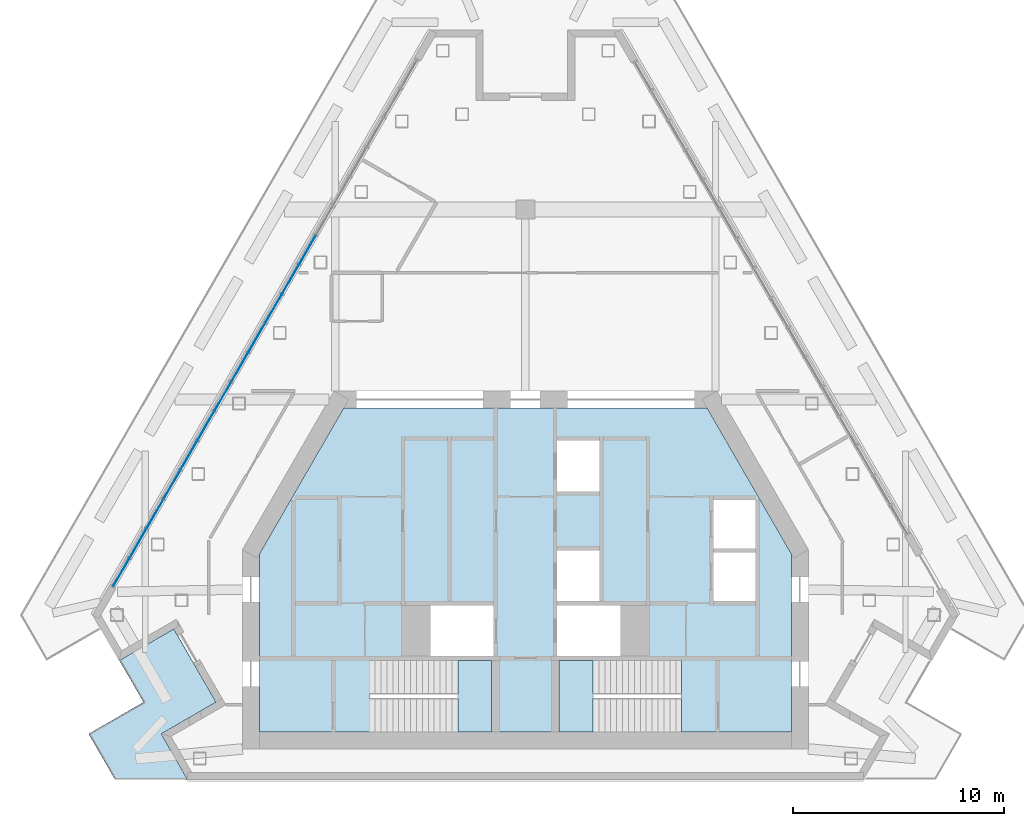
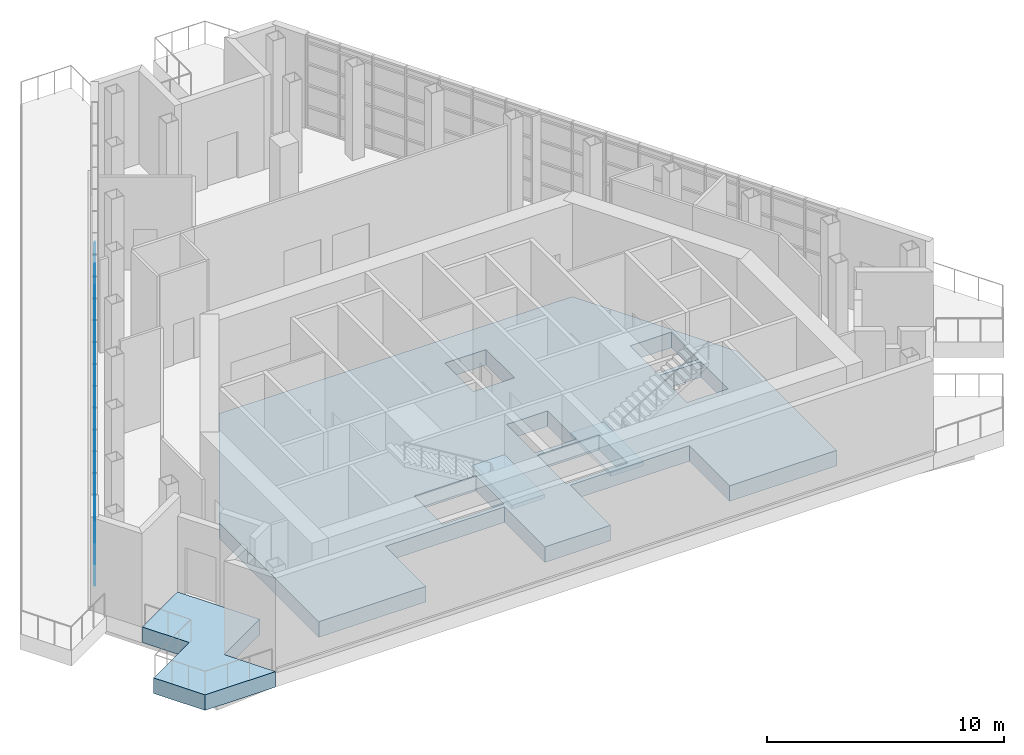
# One storey, part 7 of 15: 59 plates, 4 slabs, 3 elements without a shape of their own.
"""IFC4 building model written with IfcOpenShell, lengths in metres."""

from ifc_helpers import new_model, si_unit, direction, frame, origin, origin_2d, place, context, subcontext, project, spatial, polyline, rectangle, outline, extrude, material, layer, layer_set, type_object, element, aggregate, save


model = new_model("IFC4")

# Units and contexts
model_context = context("Model", 3, precision=1e-05, world=origin(), true_north=direction((0.0, 1.0)))
body_context = subcontext(model_context, "Body", "Model", "MODEL_VIEW")
ifc_project = project(units=[si_unit("LENGTHUNIT", "METRE"), si_unit("AREAUNIT", "SQUARE_METRE"), si_unit("VOLUMEUNIT", "CUBIC_METRE"), si_unit("PLANEANGLEUNIT", "RADIAN"), si_unit("MASSUNIT", "GRAM", prefix="KILO")], contexts=[model_context])

# Site, building, storey
site_placement = place(None, origin())
site = spatial("IfcSite", under=ifc_project, at=site_placement, CompositionType="ELEMENT")
building_placement = place(site_placement, origin())
building = spatial("IfcBuilding", under=site, at=building_placement, Name="Fogline Exchange Tower", CompositionType="ELEMENT")
storey_placement = place(building_placement, frame((0.0, 0.0, 344.699951171875)))
storey = spatial("IfcBuildingStorey", under=building, at=storey_placement, Name="L78", CompositionType="ELEMENT", Elevation=344.699951171875)

# Curtain wall, plates
ifc_material_1 = material(Name="Aluminium and glass", Category="aluminium")
curtain_wall_type = type_object("IfcCurtainWallType", Name="CW5", PredefinedType="NOTDEFINED", material=ifc_material_1)
curtain_wall_placement = place(storey_placement, origin())
curtain_wall = element("IfcCurtainWall", 1, at=curtain_wall_placement, inside=storey, type_object=curtain_wall_type, Name="CW5 L78 W run 1", PredefinedType="NOTDEFINED")
ifc_material_2 = material(Name="Glass", Category="glass")
ifc_layer_1 = layer(ifc_material_2, 0.033935546875)
ifc_layer_set_1 = layer_set([ifc_layer_1], Name="CW5-P")
plate_type = type_object("IfcPlateType", Name="CW5-P", PredefinedType="CURTAIN_PANEL", material=ifc_layer_set_1)
plate_1_placement = place(storey_placement, frame((-10.318115234375, 25.08984375, 0.080078125), z_axis=(0.0, 0.0, 1.0), x_axis=(-0.500000056787, -0.866025370998, 0.0)))
plate_1 = element("IfcPlate", 2, at=plate_1_placement, type_object=plate_type, Name="CW5-T26-02 panel 7.1", PredefinedType="CURTAIN_PANEL", context=body_context, shape_type="SweptSolid", body=[
    extrude(rectangle(XDim=1.539794921875, YDim=0.033935546875, at=origin_2d()), origin(), (0.0, 0.0, 1.0), 0.97998046875),
])
plate_2_placement = place(storey_placement, frame((-10.318115234375, 25.08984375, 1.14013671875), z_axis=(0.0, 0.0, 1.0), x_axis=(-0.500000056787, -0.866025370998, 0.0)))
plate_2 = element("IfcPlate", 3, at=plate_2_placement, type_object=plate_type, Name="CW5-T26-02 panel 7.2", PredefinedType="CURTAIN_PANEL", context=body_context, shape_type="SweptSolid", body=[
    extrude(rectangle(XDim=1.539794921875, YDim=0.033935546875, at=origin_2d()), origin(), (0.0, 0.0, 1.0), 1.02001953125),
])
plate_3_placement = place(storey_placement, frame((-10.318115234375, 25.08984375, 2.239990234375), z_axis=(0.0, 0.0, 1.0), x_axis=(-0.500000056787, -0.866025370998, 0.0)))
plate_3 = element("IfcPlate", 4, at=plate_3_placement, type_object=plate_type, Name="CW5-T26-02 panel 7.3", PredefinedType="CURTAIN_PANEL", context=body_context, shape_type="SweptSolid", body=[
    extrude(rectangle(XDim=1.539794921875, YDim=0.033935546875, at=origin_2d()), origin(), (0.0, 0.0, 1.0), 1.02001953125),
])
plate_4_placement = place(storey_placement, frame((-10.318115234375, 25.08984375, 3.340087890625), z_axis=(0.0, 0.0, 1.0), x_axis=(-0.500000056787, -0.866025370998, 0.0)))
plate_4 = element("IfcPlate", 5, at=plate_4_placement, type_object=plate_type, Name="CW5-T26-02 panel 7.4", PredefinedType="CURTAIN_PANEL", context=body_context, shape_type="SweptSolid", body=[
    extrude(rectangle(XDim=1.539794921875, YDim=0.033935546875, at=origin_2d()), origin(), (0.0, 0.0, 1.0), 1.02001953125),
])
plate_5_placement = place(storey_placement, frame((-11.12060546875, 23.699951171875, 0.080078125), z_axis=(0.0, 0.0, 1.0), x_axis=(-0.500000056787, -0.866025370998, 0.0)))
plate_5 = element("IfcPlate", 6, at=plate_5_placement, type_object=plate_type, Name="CW5-T26-02 panel 8.1", PredefinedType="CURTAIN_PANEL", context=body_context, shape_type="SweptSolid", body=[
    extrude(rectangle(XDim=1.539794921875, YDim=0.033935546875, at=origin_2d()), origin(), (0.0, 0.0, 1.0), 0.97998046875),
])
plate_6_placement = place(storey_placement, frame((-11.12060546875, 23.699951171875, 1.14013671875), z_axis=(0.0, 0.0, 1.0), x_axis=(-0.500000056787, -0.866025370998, 0.0)))
plate_6 = element("IfcPlate", 7, at=plate_6_placement, type_object=plate_type, Name="CW5-T26-02 panel 8.2", PredefinedType="CURTAIN_PANEL", context=body_context, shape_type="SweptSolid", body=[
    extrude(rectangle(XDim=1.539794921875, YDim=0.033935546875, at=origin_2d()), origin(), (0.0, 0.0, 1.0), 1.02001953125),
])
plate_7_placement = place(storey_placement, frame((-11.12060546875, 23.699951171875, 2.239990234375), z_axis=(0.0, 0.0, 1.0), x_axis=(-0.500000056787, -0.866025370998, 0.0)))
plate_7 = element("IfcPlate", 8, at=plate_7_placement, type_object=plate_type, Name="CW5-T26-02 panel 8.3", PredefinedType="CURTAIN_PANEL", context=body_context, shape_type="SweptSolid", body=[
    extrude(rectangle(XDim=1.539794921875, YDim=0.033935546875, at=origin_2d()), origin(), (0.0, 0.0, 1.0), 1.02001953125),
])
plate_8_placement = place(storey_placement, frame((-11.12060546875, 23.699951171875, 3.340087890625), z_axis=(0.0, 0.0, 1.0), x_axis=(-0.500000056787, -0.866025370998, 0.0)))
plate_8 = element("IfcPlate", 9, at=plate_8_placement, type_object=plate_type, Name="CW5-T26-02 panel 8.4", PredefinedType="CURTAIN_PANEL", context=body_context, shape_type="SweptSolid", body=[
    extrude(rectangle(XDim=1.539794921875, YDim=0.033935546875, at=origin_2d()), origin(), (0.0, 0.0, 1.0), 1.02001953125),
])
plate_9_placement = place(storey_placement, frame((-11.12060546875, 23.699951171875, 4.43994140625), z_axis=(0.0, 0.0, 1.0), x_axis=(-0.500000056787, -0.866025370998, 0.0)))
plate_9 = element("IfcPlate", 10, at=plate_9_placement, type_object=plate_type, Name="CW5-T26-02 panel 8.5", PredefinedType="CURTAIN_PANEL", context=body_context, shape_type="SweptSolid", body=[
    extrude(rectangle(XDim=1.539794921875, YDim=0.033935546875, at=origin_2d()), origin(), (0.0, 0.0, 1.0), 0.280029296875),
])
plate_10_placement = place(storey_placement, frame((-11.9228515625, 22.310302734375, 0.080078125), z_axis=(0.0, 0.0, 1.0), x_axis=(-0.500000056787, -0.866025370998, 0.0)))
plate_10 = element("IfcPlate", 11, at=plate_10_placement, type_object=plate_type, Name="CW5-T26-02 panel 9.1", PredefinedType="CURTAIN_PANEL", context=body_context, shape_type="SweptSolid", body=[
    extrude(rectangle(XDim=1.539794921875, YDim=0.033935546875, at=origin_2d()), origin(), (0.0, 0.0, 1.0), 0.97998046875),
])
plate_11_placement = place(storey_placement, frame((-11.9228515625, 22.310302734375, 1.14013671875), z_axis=(0.0, 0.0, 1.0), x_axis=(-0.500000056787, -0.866025370998, 0.0)))
plate_11 = element("IfcPlate", 12, at=plate_11_placement, type_object=plate_type, Name="CW5-T26-02 panel 9.2", PredefinedType="CURTAIN_PANEL", context=body_context, shape_type="SweptSolid", body=[
    extrude(rectangle(XDim=1.539794921875, YDim=0.033935546875, at=origin_2d()), origin(), (0.0, 0.0, 1.0), 1.02001953125),
])
plate_12_placement = place(storey_placement, frame((-11.9228515625, 22.310302734375, 2.239990234375), z_axis=(0.0, 0.0, 1.0), x_axis=(-0.500000056787, -0.866025370998, 0.0)))
plate_12 = element("IfcPlate", 13, at=plate_12_placement, type_object=plate_type, Name="CW5-T26-02 panel 9.3", PredefinedType="CURTAIN_PANEL", context=body_context, shape_type="SweptSolid", body=[
    extrude(rectangle(XDim=1.539794921875, YDim=0.033935546875, at=origin_2d()), origin(), (0.0, 0.0, 1.0), 1.02001953125),
])
plate_13_placement = place(storey_placement, frame((-11.9228515625, 22.310302734375, 3.340087890625), z_axis=(0.0, 0.0, 1.0), x_axis=(-0.500000056787, -0.866025370998, 0.0)))
plate_13 = element("IfcPlate", 14, at=plate_13_placement, type_object=plate_type, Name="CW5-T26-02 panel 9.4", PredefinedType="CURTAIN_PANEL", context=body_context, shape_type="SweptSolid", body=[
    extrude(rectangle(XDim=1.539794921875, YDim=0.033935546875, at=origin_2d()), origin(), (0.0, 0.0, 1.0), 1.02001953125),
])
plate_14_placement = place(storey_placement, frame((-11.9228515625, 22.310302734375, 4.43994140625), z_axis=(0.0, 0.0, 1.0), x_axis=(-0.500000056787, -0.866025370998, 0.0)))
plate_14 = element("IfcPlate", 15, at=plate_14_placement, type_object=plate_type, Name="CW5-T26-02 panel 9.5", PredefinedType="CURTAIN_PANEL", context=body_context, shape_type="SweptSolid", body=[
    extrude(rectangle(XDim=1.539794921875, YDim=0.033935546875, at=origin_2d()), origin(), (0.0, 0.0, 1.0), 0.280029296875),
])
plate_15_placement = place(storey_placement, frame((-12.72509765625, 20.920654296875, 0.080078125), z_axis=(0.0, 0.0, 1.0), x_axis=(-0.500000056787, -0.866025370998, 0.0)))
plate_15 = element("IfcPlate", 16, at=plate_15_placement, type_object=plate_type, Name="CW5-T26-02 panel 10.1", PredefinedType="CURTAIN_PANEL", context=body_context, shape_type="SweptSolid", body=[
    extrude(rectangle(XDim=1.539794921875, YDim=0.033935546875, at=origin_2d()), origin(), (0.0, 0.0, 1.0), 0.97998046875),
])
plate_16_placement = place(storey_placement, frame((-12.72509765625, 20.920654296875, 1.14013671875), z_axis=(0.0, 0.0, 1.0), x_axis=(-0.500000056787, -0.866025370998, 0.0)))
plate_16 = element("IfcPlate", 17, at=plate_16_placement, type_object=plate_type, Name="CW5-T26-02 panel 10.2", PredefinedType="CURTAIN_PANEL", context=body_context, shape_type="SweptSolid", body=[
    extrude(rectangle(XDim=1.539794921875, YDim=0.033935546875, at=origin_2d()), origin(), (0.0, 0.0, 1.0), 1.02001953125),
])
plate_17_placement = place(storey_placement, frame((-12.72509765625, 20.920654296875, 2.239990234375), z_axis=(0.0, 0.0, 1.0), x_axis=(-0.500000056787, -0.866025370998, 0.0)))
plate_17 = element("IfcPlate", 18, at=plate_17_placement, type_object=plate_type, Name="CW5-T26-02 panel 10.3", PredefinedType="CURTAIN_PANEL", context=body_context, shape_type="SweptSolid", body=[
    extrude(rectangle(XDim=1.539794921875, YDim=0.033935546875, at=origin_2d()), origin(), (0.0, 0.0, 1.0), 1.02001953125),
])
plate_18_placement = place(storey_placement, frame((-12.72509765625, 20.920654296875, 3.340087890625), z_axis=(0.0, 0.0, 1.0), x_axis=(-0.500000056787, -0.866025370998, 0.0)))
plate_18 = element("IfcPlate", 19, at=plate_18_placement, type_object=plate_type, Name="CW5-T26-02 panel 10.4", PredefinedType="CURTAIN_PANEL", context=body_context, shape_type="SweptSolid", body=[
    extrude(rectangle(XDim=1.539794921875, YDim=0.033935546875, at=origin_2d()), origin(), (0.0, 0.0, 1.0), 1.02001953125),
])
plate_19_placement = place(storey_placement, frame((-12.72509765625, 20.920654296875, 4.43994140625), z_axis=(0.0, 0.0, 1.0), x_axis=(-0.500000056787, -0.866025370998, 0.0)))
plate_19 = element("IfcPlate", 20, at=plate_19_placement, type_object=plate_type, Name="CW5-T26-02 panel 10.5", PredefinedType="CURTAIN_PANEL", context=body_context, shape_type="SweptSolid", body=[
    extrude(rectangle(XDim=1.539794921875, YDim=0.033935546875, at=origin_2d()), origin(), (0.0, 0.0, 1.0), 0.280029296875),
])
plate_20_placement = place(storey_placement, frame((-13.527587890625, 19.53076171875, 0.080078125), z_axis=(0.0, 0.0, 1.0), x_axis=(-0.500000056787, -0.866025370998, 0.0)))
plate_20 = element("IfcPlate", 21, at=plate_20_placement, type_object=plate_type, Name="CW5-T26-02 panel 11.1", PredefinedType="CURTAIN_PANEL", context=body_context, shape_type="SweptSolid", body=[
    extrude(rectangle(XDim=1.539794921875, YDim=0.033935546875, at=origin_2d()), origin(), (0.0, 0.0, 1.0), 0.97998046875),
])
plate_21_placement = place(storey_placement, frame((-13.527587890625, 19.53076171875, 1.14013671875), z_axis=(0.0, 0.0, 1.0), x_axis=(-0.500000056787, -0.866025370998, 0.0)))
plate_21 = element("IfcPlate", 22, at=plate_21_placement, type_object=plate_type, Name="CW5-T26-02 panel 11.2", PredefinedType="CURTAIN_PANEL", context=body_context, shape_type="SweptSolid", body=[
    extrude(rectangle(XDim=1.539794921875, YDim=0.033935546875, at=origin_2d()), origin(), (0.0, 0.0, 1.0), 1.02001953125),
])
plate_22_placement = place(storey_placement, frame((-13.527587890625, 19.53076171875, 2.239990234375), z_axis=(0.0, 0.0, 1.0), x_axis=(-0.500000056787, -0.866025370998, 0.0)))
plate_22 = element("IfcPlate", 23, at=plate_22_placement, type_object=plate_type, Name="CW5-T26-02 panel 11.3", PredefinedType="CURTAIN_PANEL", context=body_context, shape_type="SweptSolid", body=[
    extrude(rectangle(XDim=1.539794921875, YDim=0.033935546875, at=origin_2d()), origin(), (0.0, 0.0, 1.0), 1.02001953125),
])
plate_23_placement = place(storey_placement, frame((-13.527587890625, 19.53076171875, 3.340087890625), z_axis=(0.0, 0.0, 1.0), x_axis=(-0.500000056787, -0.866025370998, 0.0)))
plate_23 = element("IfcPlate", 24, at=plate_23_placement, type_object=plate_type, Name="CW5-T26-02 panel 11.4", PredefinedType="CURTAIN_PANEL", context=body_context, shape_type="SweptSolid", body=[
    extrude(rectangle(XDim=1.539794921875, YDim=0.033935546875, at=origin_2d()), origin(), (0.0, 0.0, 1.0), 1.02001953125),
])
plate_24_placement = place(storey_placement, frame((-13.527587890625, 19.53076171875, 4.43994140625), z_axis=(0.0, 0.0, 1.0), x_axis=(-0.500000056787, -0.866025370998, 0.0)))
plate_24 = element("IfcPlate", 25, at=plate_24_placement, type_object=plate_type, Name="CW5-T26-02 panel 11.5", PredefinedType="CURTAIN_PANEL", context=body_context, shape_type="SweptSolid", body=[
    extrude(rectangle(XDim=1.539794921875, YDim=0.033935546875, at=origin_2d()), origin(), (0.0, 0.0, 1.0), 0.280029296875),
])
plate_25_placement = place(storey_placement, frame((-14.329833984375, 18.14111328125, 0.080078125), z_axis=(0.0, 0.0, 1.0), x_axis=(-0.500000056787, -0.866025370998, 0.0)))
plate_25 = element("IfcPlate", 26, at=plate_25_placement, type_object=plate_type, Name="CW5-T26-02 panel 12.1", PredefinedType="CURTAIN_PANEL", context=body_context, shape_type="SweptSolid", body=[
    extrude(rectangle(XDim=1.539794921875, YDim=0.033935546875, at=origin_2d()), origin(), (0.0, 0.0, 1.0), 0.97998046875),
])
plate_26_placement = place(storey_placement, frame((-14.329833984375, 18.14111328125, 1.14013671875), z_axis=(0.0, 0.0, 1.0), x_axis=(-0.500000056787, -0.866025370998, 0.0)))
plate_26 = element("IfcPlate", 27, at=plate_26_placement, type_object=plate_type, Name="CW5-T26-02 panel 12.2", PredefinedType="CURTAIN_PANEL", context=body_context, shape_type="SweptSolid", body=[
    extrude(rectangle(XDim=1.539794921875, YDim=0.033935546875, at=origin_2d()), origin(), (0.0, 0.0, 1.0), 1.02001953125),
])
plate_27_placement = place(storey_placement, frame((-14.329833984375, 18.14111328125, 2.239990234375), z_axis=(0.0, 0.0, 1.0), x_axis=(-0.500000056787, -0.866025370998, 0.0)))
plate_27 = element("IfcPlate", 28, at=plate_27_placement, type_object=plate_type, Name="CW5-T26-02 panel 12.3", PredefinedType="CURTAIN_PANEL", context=body_context, shape_type="SweptSolid", body=[
    extrude(rectangle(XDim=1.539794921875, YDim=0.033935546875, at=origin_2d()), origin(), (0.0, 0.0, 1.0), 1.02001953125),
])
plate_28_placement = place(storey_placement, frame((-14.329833984375, 18.14111328125, 3.340087890625), z_axis=(0.0, 0.0, 1.0), x_axis=(-0.500000056787, -0.866025370998, 0.0)))
plate_28 = element("IfcPlate", 29, at=plate_28_placement, type_object=plate_type, Name="CW5-T26-02 panel 12.4", PredefinedType="CURTAIN_PANEL", context=body_context, shape_type="SweptSolid", body=[
    extrude(rectangle(XDim=1.539794921875, YDim=0.033935546875, at=origin_2d()), origin(), (0.0, 0.0, 1.0), 1.02001953125),
])
plate_29_placement = place(storey_placement, frame((-14.329833984375, 18.14111328125, 4.43994140625), z_axis=(0.0, 0.0, 1.0), x_axis=(-0.500000056787, -0.866025370998, 0.0)))
plate_29 = element("IfcPlate", 30, at=plate_29_placement, type_object=plate_type, Name="CW5-T26-02 panel 12.5", PredefinedType="CURTAIN_PANEL", context=body_context, shape_type="SweptSolid", body=[
    extrude(rectangle(XDim=1.539794921875, YDim=0.033935546875, at=origin_2d()), origin(), (0.0, 0.0, 1.0), 0.280029296875),
])
plate_30_placement = place(storey_placement, frame((-15.13232421875, 16.75146484375, 0.080078125), z_axis=(0.0, 0.0, 1.0), x_axis=(-0.500000056787, -0.866025370998, 0.0)))
plate_30 = element("IfcPlate", 31, at=plate_30_placement, type_object=plate_type, Name="CW5-T26-02 panel 13.1", PredefinedType="CURTAIN_PANEL", context=body_context, shape_type="SweptSolid", body=[
    extrude(rectangle(XDim=1.539794921875, YDim=0.033935546875, at=origin_2d()), origin(), (0.0, 0.0, 1.0), 0.97998046875),
])
plate_31_placement = place(storey_placement, frame((-15.13232421875, 16.75146484375, 1.14013671875), z_axis=(0.0, 0.0, 1.0), x_axis=(-0.500000056787, -0.866025370998, 0.0)))
plate_31 = element("IfcPlate", 32, at=plate_31_placement, type_object=plate_type, Name="CW5-T26-02 panel 13.2", PredefinedType="CURTAIN_PANEL", context=body_context, shape_type="SweptSolid", body=[
    extrude(rectangle(XDim=1.539794921875, YDim=0.033935546875, at=origin_2d()), origin(), (0.0, 0.0, 1.0), 1.02001953125),
])
plate_32_placement = place(storey_placement, frame((-15.13232421875, 16.75146484375, 2.239990234375), z_axis=(0.0, 0.0, 1.0), x_axis=(-0.500000056787, -0.866025370998, 0.0)))
plate_32 = element("IfcPlate", 33, at=plate_32_placement, type_object=plate_type, Name="CW5-T26-02 panel 13.3", PredefinedType="CURTAIN_PANEL", context=body_context, shape_type="SweptSolid", body=[
    extrude(rectangle(XDim=1.539794921875, YDim=0.033935546875, at=origin_2d()), origin(), (0.0, 0.0, 1.0), 1.02001953125),
])
plate_33_placement = place(storey_placement, frame((-15.13232421875, 16.75146484375, 3.340087890625), z_axis=(0.0, 0.0, 1.0), x_axis=(-0.500000056787, -0.866025370998, 0.0)))
plate_33 = element("IfcPlate", 34, at=plate_33_placement, type_object=plate_type, Name="CW5-T26-02 panel 13.4", PredefinedType="CURTAIN_PANEL", context=body_context, shape_type="SweptSolid", body=[
    extrude(rectangle(XDim=1.539794921875, YDim=0.033935546875, at=origin_2d()), origin(), (0.0, 0.0, 1.0), 1.02001953125),
])
plate_34_placement = place(storey_placement, frame((-15.13232421875, 16.75146484375, 4.43994140625), z_axis=(0.0, 0.0, 1.0), x_axis=(-0.500000056787, -0.866025370998, 0.0)))
plate_34 = element("IfcPlate", 35, at=plate_34_placement, type_object=plate_type, Name="CW5-T26-02 panel 13.5", PredefinedType="CURTAIN_PANEL", context=body_context, shape_type="SweptSolid", body=[
    extrude(rectangle(XDim=1.539794921875, YDim=0.033935546875, at=origin_2d()), origin(), (0.0, 0.0, 1.0), 0.280029296875),
])
plate_35_placement = place(storey_placement, frame((-15.9345703125, 15.361572265625, 0.080078125), z_axis=(0.0, 0.0, 1.0), x_axis=(-0.500000056787, -0.866025370998, 0.0)))
plate_35 = element("IfcPlate", 36, at=plate_35_placement, type_object=plate_type, Name="CW5-T26-02 panel 14.1", PredefinedType="CURTAIN_PANEL", context=body_context, shape_type="SweptSolid", body=[
    extrude(rectangle(XDim=1.539794921875, YDim=0.033935546875, at=origin_2d()), origin(), (0.0, 0.0, 1.0), 0.97998046875),
])
plate_36_placement = place(storey_placement, frame((-15.9345703125, 15.361572265625, 1.14013671875), z_axis=(0.0, 0.0, 1.0), x_axis=(-0.500000056787, -0.866025370998, 0.0)))
plate_36 = element("IfcPlate", 37, at=plate_36_placement, type_object=plate_type, Name="CW5-T26-02 panel 14.2", PredefinedType="CURTAIN_PANEL", context=body_context, shape_type="SweptSolid", body=[
    extrude(rectangle(XDim=1.539794921875, YDim=0.033935546875, at=origin_2d()), origin(), (0.0, 0.0, 1.0), 1.02001953125),
])
plate_37_placement = place(storey_placement, frame((-15.9345703125, 15.361572265625, 2.239990234375), z_axis=(0.0, 0.0, 1.0), x_axis=(-0.500000056787, -0.866025370998, 0.0)))
plate_37 = element("IfcPlate", 38, at=plate_37_placement, type_object=plate_type, Name="CW5-T26-02 panel 14.3", PredefinedType="CURTAIN_PANEL", context=body_context, shape_type="SweptSolid", body=[
    extrude(rectangle(XDim=1.539794921875, YDim=0.033935546875, at=origin_2d()), origin(), (0.0, 0.0, 1.0), 1.02001953125),
])
plate_38_placement = place(storey_placement, frame((-15.9345703125, 15.361572265625, 3.340087890625), z_axis=(0.0, 0.0, 1.0), x_axis=(-0.500000056787, -0.866025370998, 0.0)))
plate_38 = element("IfcPlate", 39, at=plate_38_placement, type_object=plate_type, Name="CW5-T26-02 panel 14.4", PredefinedType="CURTAIN_PANEL", context=body_context, shape_type="SweptSolid", body=[
    extrude(rectangle(XDim=1.539794921875, YDim=0.033935546875, at=origin_2d()), origin(), (0.0, 0.0, 1.0), 1.02001953125),
])
plate_39_placement = place(storey_placement, frame((-15.9345703125, 15.361572265625, 4.43994140625), z_axis=(0.0, 0.0, 1.0), x_axis=(-0.500000056787, -0.866025370998, 0.0)))
plate_39 = element("IfcPlate", 40, at=plate_39_placement, type_object=plate_type, Name="CW5-T26-02 panel 14.5", PredefinedType="CURTAIN_PANEL", context=body_context, shape_type="SweptSolid", body=[
    extrude(rectangle(XDim=1.539794921875, YDim=0.033935546875, at=origin_2d()), origin(), (0.0, 0.0, 1.0), 0.280029296875),
])
plate_40_placement = place(storey_placement, frame((-16.737060546875, 13.971923828125, 0.080078125), z_axis=(0.0, 0.0, 1.0), x_axis=(-0.500000056787, -0.866025370998, 0.0)))
plate_40 = element("IfcPlate", 41, at=plate_40_placement, type_object=plate_type, Name="CW5-T26-02 panel 15.1", PredefinedType="CURTAIN_PANEL", context=body_context, shape_type="SweptSolid", body=[
    extrude(rectangle(XDim=1.539794921875, YDim=0.033935546875, at=origin_2d()), origin(), (0.0, 0.0, 1.0), 0.97998046875),
])
plate_41_placement = place(storey_placement, frame((-16.737060546875, 13.971923828125, 1.14013671875), z_axis=(0.0, 0.0, 1.0), x_axis=(-0.500000056787, -0.866025370998, 0.0)))
plate_41 = element("IfcPlate", 42, at=plate_41_placement, type_object=plate_type, Name="CW5-T26-02 panel 15.2", PredefinedType="CURTAIN_PANEL", context=body_context, shape_type="SweptSolid", body=[
    extrude(rectangle(XDim=1.539794921875, YDim=0.033935546875, at=origin_2d()), origin(), (0.0, 0.0, 1.0), 1.02001953125),
])
plate_42_placement = place(storey_placement, frame((-16.737060546875, 13.971923828125, 2.239990234375), z_axis=(0.0, 0.0, 1.0), x_axis=(-0.500000056787, -0.866025370998, 0.0)))
plate_42 = element("IfcPlate", 43, at=plate_42_placement, type_object=plate_type, Name="CW5-T26-02 panel 15.3", PredefinedType="CURTAIN_PANEL", context=body_context, shape_type="SweptSolid", body=[
    extrude(rectangle(XDim=1.539794921875, YDim=0.033935546875, at=origin_2d()), origin(), (0.0, 0.0, 1.0), 1.02001953125),
])
plate_43_placement = place(storey_placement, frame((-16.737060546875, 13.971923828125, 3.340087890625), z_axis=(0.0, 0.0, 1.0), x_axis=(-0.500000056787, -0.866025370998, 0.0)))
plate_43 = element("IfcPlate", 44, at=plate_43_placement, type_object=plate_type, Name="CW5-T26-02 panel 15.4", PredefinedType="CURTAIN_PANEL", context=body_context, shape_type="SweptSolid", body=[
    extrude(rectangle(XDim=1.539794921875, YDim=0.033935546875, at=origin_2d()), origin(), (0.0, 0.0, 1.0), 1.02001953125),
])
plate_44_placement = place(storey_placement, frame((-16.737060546875, 13.971923828125, 4.43994140625), z_axis=(0.0, 0.0, 1.0), x_axis=(-0.500000056787, -0.866025370998, 0.0)))
plate_44 = element("IfcPlate", 45, at=plate_44_placement, type_object=plate_type, Name="CW5-T26-02 panel 15.5", PredefinedType="CURTAIN_PANEL", context=body_context, shape_type="SweptSolid", body=[
    extrude(rectangle(XDim=1.539794921875, YDim=0.033935546875, at=origin_2d()), origin(), (0.0, 0.0, 1.0), 0.280029296875),
])
plate_45_placement = place(storey_placement, frame((-17.539306640625, 12.582275390625, 0.080078125), z_axis=(0.0, 0.0, 1.0), x_axis=(-0.500000056787, -0.866025370998, 0.0)))
plate_45 = element("IfcPlate", 46, at=plate_45_placement, type_object=plate_type, Name="CW5-T26-02 panel 16.1", PredefinedType="CURTAIN_PANEL", context=body_context, shape_type="SweptSolid", body=[
    extrude(rectangle(XDim=1.539794921875, YDim=0.033935546875, at=origin_2d()), origin(), (0.0, 0.0, 1.0), 0.97998046875),
])
plate_46_placement = place(storey_placement, frame((-17.539306640625, 12.582275390625, 1.14013671875), z_axis=(0.0, 0.0, 1.0), x_axis=(-0.500000056787, -0.866025370998, 0.0)))
plate_46 = element("IfcPlate", 47, at=plate_46_placement, type_object=plate_type, Name="CW5-T26-02 panel 16.2", PredefinedType="CURTAIN_PANEL", context=body_context, shape_type="SweptSolid", body=[
    extrude(rectangle(XDim=1.539794921875, YDim=0.033935546875, at=origin_2d()), origin(), (0.0, 0.0, 1.0), 1.02001953125),
])
plate_47_placement = place(storey_placement, frame((-17.539306640625, 12.582275390625, 2.239990234375), z_axis=(0.0, 0.0, 1.0), x_axis=(-0.500000056787, -0.866025370998, 0.0)))
plate_47 = element("IfcPlate", 48, at=plate_47_placement, type_object=plate_type, Name="CW5-T26-02 panel 16.3", PredefinedType="CURTAIN_PANEL", context=body_context, shape_type="SweptSolid", body=[
    extrude(rectangle(XDim=1.539794921875, YDim=0.033935546875, at=origin_2d()), origin(), (0.0, 0.0, 1.0), 1.02001953125),
])
plate_48_placement = place(storey_placement, frame((-17.539306640625, 12.582275390625, 3.340087890625), z_axis=(0.0, 0.0, 1.0), x_axis=(-0.500000056787, -0.866025370998, 0.0)))
plate_48 = element("IfcPlate", 49, at=plate_48_placement, type_object=plate_type, Name="CW5-T26-02 panel 16.4", PredefinedType="CURTAIN_PANEL", context=body_context, shape_type="SweptSolid", body=[
    extrude(rectangle(XDim=1.539794921875, YDim=0.033935546875, at=origin_2d()), origin(), (0.0, 0.0, 1.0), 1.02001953125),
])
plate_49_placement = place(storey_placement, frame((-17.539306640625, 12.582275390625, 4.43994140625), z_axis=(0.0, 0.0, 1.0), x_axis=(-0.500000056787, -0.866025370998, 0.0)))
plate_49 = element("IfcPlate", 50, at=plate_49_placement, type_object=plate_type, Name="CW5-T26-02 panel 16.5", PredefinedType="CURTAIN_PANEL", context=body_context, shape_type="SweptSolid", body=[
    extrude(rectangle(XDim=1.539794921875, YDim=0.033935546875, at=origin_2d()), origin(), (0.0, 0.0, 1.0), 0.280029296875),
])
plate_50_placement = place(storey_placement, frame((-18.341796875, 11.1923828125, 0.080078125), z_axis=(0.0, 0.0, 1.0), x_axis=(-0.500000056787, -0.866025370998, 0.0)))
plate_50 = element("IfcPlate", 51, at=plate_50_placement, type_object=plate_type, Name="CW5-T26-02 panel 17.1", PredefinedType="CURTAIN_PANEL", context=body_context, shape_type="SweptSolid", body=[
    extrude(rectangle(XDim=1.539794921875, YDim=0.033935546875, at=origin_2d()), origin(), (0.0, 0.0, 1.0), 0.97998046875),
])
plate_51_placement = place(storey_placement, frame((-18.341796875, 11.1923828125, 1.14013671875), z_axis=(0.0, 0.0, 1.0), x_axis=(-0.500000056787, -0.866025370998, 0.0)))
plate_51 = element("IfcPlate", 52, at=plate_51_placement, type_object=plate_type, Name="CW5-T26-02 panel 17.2", PredefinedType="CURTAIN_PANEL", context=body_context, shape_type="SweptSolid", body=[
    extrude(rectangle(XDim=1.539794921875, YDim=0.033935546875, at=origin_2d()), origin(), (0.0, 0.0, 1.0), 1.02001953125),
])
plate_52_placement = place(storey_placement, frame((-18.341796875, 11.1923828125, 2.239990234375), z_axis=(0.0, 0.0, 1.0), x_axis=(-0.500000056787, -0.866025370998, 0.0)))
plate_52 = element("IfcPlate", 53, at=plate_52_placement, type_object=plate_type, Name="CW5-T26-02 panel 17.3", PredefinedType="CURTAIN_PANEL", context=body_context, shape_type="SweptSolid", body=[
    extrude(rectangle(XDim=1.539794921875, YDim=0.033935546875, at=origin_2d()), origin(), (0.0, 0.0, 1.0), 1.02001953125),
])
plate_53_placement = place(storey_placement, frame((-18.341796875, 11.1923828125, 3.340087890625), z_axis=(0.0, 0.0, 1.0), x_axis=(-0.500000056787, -0.866025370998, 0.0)))
plate_53 = element("IfcPlate", 54, at=plate_53_placement, type_object=plate_type, Name="CW5-T26-02 panel 17.4", PredefinedType="CURTAIN_PANEL", context=body_context, shape_type="SweptSolid", body=[
    extrude(rectangle(XDim=1.539794921875, YDim=0.033935546875, at=origin_2d()), origin(), (0.0, 0.0, 1.0), 1.02001953125),
])
plate_54_placement = place(storey_placement, frame((-18.341796875, 11.1923828125, 4.43994140625), z_axis=(0.0, 0.0, 1.0), x_axis=(-0.500000056787, -0.866025370998, 0.0)))
plate_54 = element("IfcPlate", 55, at=plate_54_placement, type_object=plate_type, Name="CW5-T26-02 panel 17.5", PredefinedType="CURTAIN_PANEL", context=body_context, shape_type="SweptSolid", body=[
    extrude(rectangle(XDim=1.539794921875, YDim=0.033935546875, at=origin_2d()), origin(), (0.0, 0.0, 1.0), 0.280029296875),
])
plate_55_placement = place(storey_placement, frame((-19.135986328125, 9.81689453125, 0.080078125), z_axis=(0.0, 0.0, 1.0), x_axis=(-0.500000056787, -0.866025370998, 0.0)))
plate_55 = element("IfcPlate", 56, at=plate_55_placement, type_object=plate_type, Name="CW5-T26-02 panel 18.1", PredefinedType="CURTAIN_PANEL", context=body_context, shape_type="SweptSolid", body=[
    extrude(rectangle(XDim=1.50732421875, YDim=0.033935546875, at=origin_2d()), origin(), (0.0, 0.0, 1.0), 0.97998046875),
])
plate_56_placement = place(storey_placement, frame((-19.135986328125, 9.81689453125, 1.14013671875), z_axis=(0.0, 0.0, 1.0), x_axis=(-0.500000056787, -0.866025370998, 0.0)))
plate_56 = element("IfcPlate", 57, at=plate_56_placement, type_object=plate_type, Name="CW5-T26-02 panel 18.2", PredefinedType="CURTAIN_PANEL", context=body_context, shape_type="SweptSolid", body=[
    extrude(rectangle(XDim=1.50732421875, YDim=0.033935546875, at=origin_2d()), origin(), (0.0, 0.0, 1.0), 1.02001953125),
])
plate_57_placement = place(storey_placement, frame((-19.135986328125, 9.81689453125, 2.239990234375), z_axis=(0.0, 0.0, 1.0), x_axis=(-0.500000056787, -0.866025370998, 0.0)))
plate_57 = element("IfcPlate", 58, at=plate_57_placement, type_object=plate_type, Name="CW5-T26-02 panel 18.3", PredefinedType="CURTAIN_PANEL", context=body_context, shape_type="SweptSolid", body=[
    extrude(rectangle(XDim=1.50732421875, YDim=0.033935546875, at=origin_2d()), origin(), (0.0, 0.0, 1.0), 1.02001953125),
])
plate_58_placement = place(storey_placement, frame((-19.135986328125, 9.81689453125, 3.340087890625), z_axis=(0.0, 0.0, 1.0), x_axis=(-0.500000056787, -0.866025370998, 0.0)))
plate_58 = element("IfcPlate", 59, at=plate_58_placement, type_object=plate_type, Name="CW5-T26-02 panel 18.4", PredefinedType="CURTAIN_PANEL", context=body_context, shape_type="SweptSolid", body=[
    extrude(rectangle(XDim=1.50732421875, YDim=0.033935546875, at=origin_2d()), origin(), (0.0, 0.0, 1.0), 1.02001953125),
])
plate_59_placement = place(storey_placement, frame((-19.135986328125, 9.81689453125, 4.43994140625), z_axis=(0.0, 0.0, 1.0), x_axis=(-0.500000056787, -0.866025370998, 0.0)))
plate_59 = element("IfcPlate", 60, at=plate_59_placement, type_object=plate_type, Name="CW5-T26-02 panel 18.5", PredefinedType="CURTAIN_PANEL", context=body_context, shape_type="SweptSolid", body=[
    extrude(rectangle(XDim=1.50732421875, YDim=0.033935546875, at=origin_2d()), origin(), (0.0, 0.0, 1.0), 0.280029296875),
])
aggregate(curtain_wall, [plate_1, plate_2, plate_3, plate_4, plate_5, plate_6, plate_7, plate_8, plate_9, plate_10, plate_11, plate_12, plate_13, plate_14, plate_15, plate_16, plate_17, plate_18, plate_19, plate_20, plate_21, plate_22, plate_23, plate_24, plate_25, plate_26, plate_27, plate_28, plate_29, plate_30, plate_31, plate_32, plate_33, plate_34, plate_35, plate_36, plate_37, plate_38, plate_39, plate_40, plate_41, plate_42, plate_43, plate_44, plate_45, plate_46, plate_47, plate_48, plate_49, plate_50, plate_51, plate_52, plate_53, plate_54, plate_55, plate_56, plate_57, plate_58, plate_59])

# Slabs
ifc_material_3 = material(Name="Concrete C40", Category="concrete")
ifc_layer_2 = layer(ifc_material_3, 0.800048828125)
ifc_layer_set_2 = layer_set([ifc_layer_2], Name="S07")
slab_type_1 = type_object("IfcSlabType", Name="S07", PredefinedType="FLOOR", material=ifc_layer_set_2)
slab_1_placement = place(storey_placement, frame((0.0, 0.0, -0.800048828125)))
element("IfcSlab", 61, at=slab_1_placement, inside=storey, type_object=slab_type_1, Name="Core floor slab", PredefinedType="FLOOR", context=body_context, shape_type="SweptSolid", body=[
    extrude(outline(polyline([(-12.60009765625, 2.25), (-12.60009765625, 10.677490234375), (-8.603271484375, 17.60009765625), (8.603271484375, 17.60009765625), (12.60009765625, 10.677490234375), (12.60009765625, 2.25), (7.389892578125, 2.25), (7.389892578125, 5.64990234375), (1.60009765625, 5.64990234375), (1.60009765625, 2.25), (-1.60009765625, 2.25), (-1.60009765625, 5.64990234375), (-7.389892578125, 5.64990234375), (-7.389892578125, 2.25), (-12.60009765625, 2.25)]), holes=[polyline([(-4.5, 8.25), (-4.5, 5.85009765625), (-1.5, 5.85009765625), (-1.5, 8.25), (-4.5, 8.25)]), polyline([(1.5, 8.25), (1.5, 5.85009765625), (4.5, 5.85009765625), (4.5, 8.25), (1.5, 8.25)]), polyline([(8.89990234375, 10.75), (8.89990234375, 8.449951171875), (10.89990234375, 8.449951171875), (10.89990234375, 10.75), (8.89990234375, 10.75)]), polyline([(1.5, 10.85009765625), (1.5, 8.449951171875), (3.5, 8.449951171875), (3.5, 10.85009765625), (1.5, 10.85009765625)]), polyline([(8.89990234375, 13.25), (8.89990234375, 10.949951171875), (10.89990234375, 10.949951171875), (10.89990234375, 13.25), (8.89990234375, 13.25)]), polyline([(1.5, 16.050048828125), (1.5, 13.64990234375), (3.5, 13.64990234375), (3.5, 16.050048828125), (1.5, 16.050048828125)])]), origin(), (0.0, 0.0, 1.0), 0.800048828125),
])
ifc_layer_3 = layer(ifc_material_3, 0.800048828125)
ifc_layer_set_3 = layer_set([ifc_layer_3], Name="S08")
slab_type_2 = type_object("IfcSlabType", Name="S08", PredefinedType="FLOOR", material=ifc_layer_set_3)
slab_2_placement = place(storey_placement, frame((0.0, 0.0, -0.800048828125)))
element("IfcSlab", 62, at=slab_2_placement, inside=storey, type_object=slab_type_2, Name="SLAB L78 TERRACE", PredefinedType="FLOOR", context=body_context, shape_type="SweptSolid", body=[
    extrude(outline(polyline([(-19.43505859375, 0.0), (-16.0, 0.0), (-17.25, 2.1650390625), (-14.65185546875, 3.6650390625), (-16.65185546875, 7.129150390625), (-19.228271484375, 5.641845703125), (-18.0869140625, 3.6650390625), (-20.68505859375, 2.1650390625), (-19.43505859375, 0.0)])), origin(), (0.0, 0.0, 1.0), 0.800048828125),
])

# Stair, slab
stair_type = type_object("IfcStairType", Name="STR32-1688", PredefinedType="HALF_TURN_STAIR", material=ifc_material_3)
stair_1_placement = place(storey_placement, origin())
stair_1 = element("IfcStair", 63, at=stair_1_placement, inside=storey, type_object=stair_type, Name="Stair CS1", PredefinedType="HALF_TURN_STAIR")
ifc_layer_4 = layer(ifc_material_3, 0.199951171875)
ifc_layer_set_4 = layer_set([ifc_layer_4], Name="SL200")
slab_type_3 = type_object("IfcSlabType", Name="SL200", PredefinedType="LANDING", material=ifc_layer_set_4)
slab_3_placement = place(storey_placement, frame((0.0, 0.0, 2.5)))
slab_3 = element("IfcSlab", 64, at=slab_3_placement, type_object=slab_type_3, Name="CS1 landing 1", PredefinedType="LANDING", context=body_context, shape_type="SweptSolid", body=[
    extrude(outline(polyline([(-3.199951171875, 2.25), (-1.60009765625, 2.25), (-1.60009765625, 5.64990234375), (-3.199951171875, 5.64990234375), (-3.199951171875, 2.25)])), origin(), (0.0, 0.0, 1.0), 0.199951171875),
])
aggregate(stair_1, [slab_3])

stair_2_placement = place(storey_placement, origin())
stair_2 = element("IfcStair", 65, at=stair_2_placement, inside=storey, type_object=stair_type, Name="Stair CS2", PredefinedType="HALF_TURN_STAIR")
slab_4_placement = place(storey_placement, frame((0.0, 0.0, 2.5)))
slab_4 = element("IfcSlab", 66, at=slab_4_placement, type_object=slab_type_3, Name="CS2 landing 1", PredefinedType="LANDING", context=body_context, shape_type="SweptSolid", body=[
    extrude(outline(polyline([(1.60009765625, 2.25), (3.199951171875, 2.25), (3.199951171875, 5.64990234375), (1.60009765625, 5.64990234375), (1.60009765625, 2.25)])), origin(), (0.0, 0.0, 1.0), 0.199951171875),
])
aggregate(stair_2, [slab_4])

save(model, "model.ifc")
